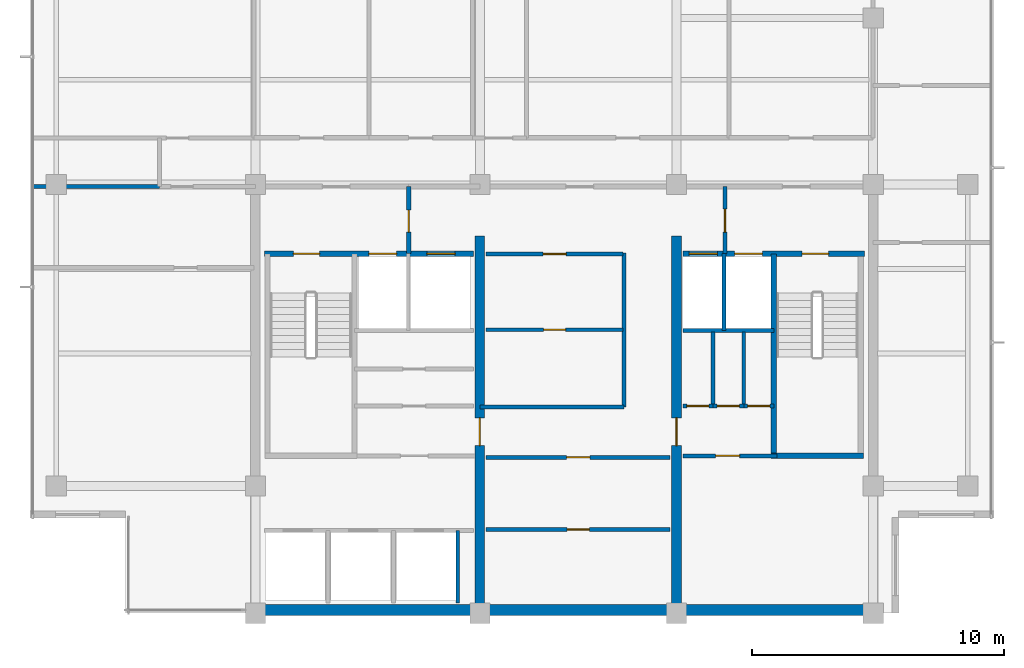
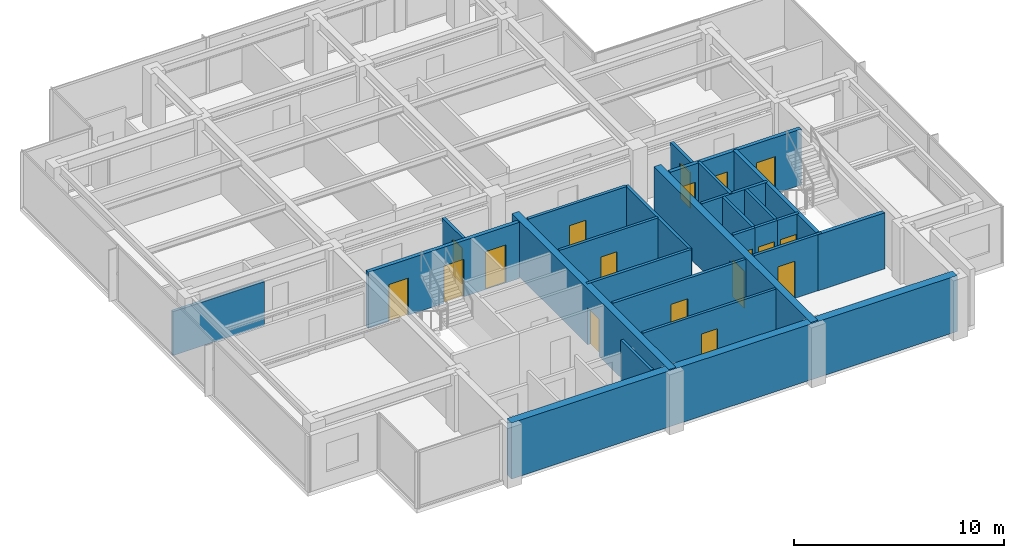
# One storey, part 6 of 11: 25 walls, 18 doors, 18 openings.
"""IFC4 building model written with IfcOpenShell, lengths in metres."""

from ifc_helpers import new_model, si_unit, direction, frame, frame_2d, origin, place, context, subcontext, project, spatial, rectangle, extrude, material, layer, layer_set, type_object, element, fill, save


model = new_model("IFC4")

# Units and contexts
model_context = context("Model", 3, precision=1e-05, world=origin(), true_north=direction((0.0, 1.0)))
body_context = subcontext(model_context, "Body", "Model", "MODEL_VIEW")
ifc_project = project(units=[si_unit("LENGTHUNIT", "METRE"), si_unit("AREAUNIT", "SQUARE_METRE"), si_unit("VOLUMEUNIT", "CUBIC_METRE"), si_unit("PLANEANGLEUNIT", "RADIAN"), si_unit("MASSUNIT", "GRAM", prefix="KILO")], contexts=[model_context])

# Site, building, storey
site_placement = place(None, origin())
site = spatial("IfcSite", under=ifc_project, at=site_placement, CompositionType="ELEMENT")
building_placement = place(site_placement, origin())
building = spatial("IfcBuilding", under=site, at=building_placement, Name="Qalmaran Belvedere Hotel", CompositionType="ELEMENT")
storey_placement = place(building_placement, frame((0.0, 0.0, 277.39990234375)))
storey = spatial("IfcBuildingStorey", under=building, at=storey_placement, Name="L72", CompositionType="ELEMENT", Elevation=277.39990234375)

# Wall, opening, door
ifc_material_1 = material(Name="Concrete C50/60", Category="concrete")
ifc_layer_1 = layer(ifc_material_1, 0.3798828125, Name="Concrete C50/60")
ifc_layer_set_1 = layer_set([ifc_layer_1], Name="Concrete C50/60")
wall_type_1 = type_object("IfcWallType", Name="WL-CORE-380-C50", PredefinedType="SHEAR", material=ifc_layer_set_1)
wall_1_placement = place(storey_placement, frame((29.199951171875, 3.5, 0.0), z_axis=(0.0, 0.0, 1.0), x_axis=(0.0, 1.0, 0.0)))
wall_1 = element("IfcWall", 1, at=wall_1_placement, inside=storey, type_object=wall_type_1, Name="L72 Core West Spine Shear Wall", PredefinedType="SHEAR", context=body_context, shape_type="SweptSolid", body=[
    extrude(rectangle(XDim=14.949951171875, YDim=0.3798828125, at=frame_2d((7.47509765625, 0.0))), origin(), (0.0, 0.0, 1.0), 3.260009765625),
])
opening_1_placement = place(wall_1_placement, frame((7.75, 0.0, 0.0), z_axis=(0.0, 0.0, 1.0), x_axis=(-1.0, 0.0, 0.0)))
opening_1 = element("IfcOpeningElement", 2, at=opening_1_placement, cuts=wall_1, Name="Opening FD90", PredefinedType="OPENING", context=body_context, shape_type="SweptSolid", body=[
    extrude(rectangle(XDim=1.10009765625, YDim=2.14990234375, at=frame_2d((0.550048828125, 1.074951171875))), frame((0.0, 0.199951171875, 0.0), z_axis=(0.0, -1.0, 0.0), x_axis=(1.0, 0.0, 0.0)), (0.0, 0.0, 1.0), 0.39990234375),
])
ifc_material_2 = material(Name="Steel S355JR", Category="steel")
door_type_1 = type_object("IfcDoorType", Name="DR-FD90-1100X2150", OperationType="NOTDEFINED", PredefinedType="DOOR", material=ifc_material_2)
door_1_placement = place(opening_1_placement, origin())
door_1 = element("IfcDoor", 3, at=door_1_placement, inside=storey, type_object=door_type_1, Name="L72 Core West Cross-Lobby Door", OperationType="SINGLE_SWING_LEFT", OverallHeight=2.14990234375, OverallWidth=1.10009765625, PredefinedType="DOOR", context=body_context, shape_type="SweptSolid", body=[
    extrude(rectangle(XDim=1.10009765625, YDim=2.14990234375, at=frame_2d((0.550048828125, 1.074951171875))), frame((0.0, 0.02490234375, 0.0), z_axis=(0.0, -1.0, 0.0), x_axis=(1.0, 0.0, 0.0)), (0.0, 0.0, 1.0), 0.050048828125),
])
fill(opening_1, door_1)

wall_2_placement = place(storey_placement, frame((37.0, 3.5, 0.0), z_axis=(0.0, 0.0, 1.0), x_axis=(0.0, 1.0, 0.0)))
wall_2 = element("IfcWall", 4, at=wall_2_placement, inside=storey, type_object=wall_type_1, Name="L72 Core East Spine Shear Wall", PredefinedType="SHEAR", context=body_context, shape_type="SweptSolid", body=[
    extrude(rectangle(XDim=14.949951171875, YDim=0.3798828125, at=frame_2d((7.47509765625, 0.0))), origin(), (0.0, 0.0, 1.0), 3.260009765625),
])
opening_2_placement = place(wall_2_placement, frame((6.64990234375, 0.0, 0.0)))
opening_2 = element("IfcOpeningElement", 5, at=opening_2_placement, cuts=wall_2, Name="Opening FD90", PredefinedType="OPENING", context=body_context, shape_type="SweptSolid", body=[
    extrude(rectangle(XDim=1.10009765625, YDim=2.14990234375, at=frame_2d((0.550048828125, 1.074951171875))), frame((0.0, 0.199951171875, 0.0), z_axis=(0.0, -1.0, 0.0), x_axis=(1.0, 0.0, 0.0)), (0.0, 0.0, 1.0), 0.39990234375),
])
door_2_placement = place(opening_2_placement, origin())
door_2 = element("IfcDoor", 6, at=door_2_placement, inside=storey, type_object=door_type_1, Name="L72 Core East Cross-Lobby Door", OperationType="SINGLE_SWING_RIGHT", OverallHeight=2.14990234375, OverallWidth=1.10009765625, PredefinedType="DOOR", context=body_context, shape_type="SweptSolid", body=[
    extrude(rectangle(XDim=1.10009765625, YDim=2.14990234375, at=frame_2d((0.550048828125, 1.074951171875))), frame((0.0, 0.02490234375, 0.0), z_axis=(0.0, -1.0, 0.0), x_axis=(1.0, 0.0, 0.0)), (0.0, 0.0, 1.0), 0.050048828125),
])
fill(opening_2, door_2)

# Walls
ifc_layer_2 = layer(ifc_material_1, 0.43994140625, Name="Concrete C50/60")
ifc_layer_set_2 = layer_set([ifc_layer_2], Name="Concrete C50/60")
wall_type_2 = type_object("IfcWallType", Name="WL-CORES-440-EXT", PredefinedType="SHEAR", material=ifc_layer_set_2)
wall_3_placement = place(storey_placement, frame((20.300048828125, 3.6298828125, 0.0), z_axis=(0.0, 0.0, 1.0), x_axis=(1.0, 0.0, 0.0)))
element("IfcWall", 7, at=wall_3_placement, inside=storey, type_object=wall_type_2, Name="L72 South Core Shear Wall", PredefinedType="SHEAR", context=body_context, shape_type="SweptSolid", body=[
    extrude(rectangle(XDim=24.5, YDim=0.43994140625, at=frame_2d((12.25, 0.0))), origin(), (0.0, 0.0, 1.0), 3.260009765625),
])
ifc_material_3 = material(Name="Gypsum Stud Partition")
ifc_layer_3 = layer(ifc_material_3, 0.14990234375, Name="Gypsum Stud Partition")
ifc_layer_set_3 = layer_set([ifc_layer_3], Name="Gypsum Stud Partition")
wall_type_3 = type_object("IfcWallType", Name="WL-INT-150-EI120", PredefinedType="PARTITIONING", material=ifc_layer_set_3)
wall_4_placement = place(storey_placement, frame((38.8798828125, 14.719970703125, 0.0), z_axis=(0.0, 0.0, 1.0), x_axis=(0.0, 1.0, 0.0)))
element("IfcWall", 8, at=wall_4_placement, inside=storey, type_object=wall_type_3, Name="L72 Partition WL-FF2M-L72", PredefinedType="PARTITIONING", context=body_context, shape_type="SweptSolid", body=[
    extrude(rectangle(XDim=3.0400390625, YDim=0.14990234375, at=frame_2d((1.52001953125, 0.0))), origin(), (0.0, 0.0, 1.0), 3.260009765625),
])
wall_5_placement = place(storey_placement, frame((28.320068359375, 3.89990234375, 0.0), z_axis=(0.0, 0.0, 1.0), x_axis=(0.0, 1.0, 0.0)))
element("IfcWall", 9, at=wall_5_placement, inside=storey, type_object=wall_type_3, Name="L72 Partition WL-POM3-L72", PredefinedType="PARTITIONING", context=body_context, shape_type="SweptSolid", body=[
    extrude(rectangle(XDim=2.880126953125, YDim=0.14990234375, at=frame_2d((1.43994140625, 0.0))), origin(), (0.0, 0.0, 1.0), 3.260009765625),
])
ifc_layer_4 = layer(ifc_material_3, 0.14990234375, Name="Gypsum Stud Partition")
ifc_layer_set_4 = layer_set([ifc_layer_4], Name="Gypsum Stud Partition")
wall_type_4 = type_object("IfcWallType", Name="WL-INT-150-EI60", PredefinedType="PARTITIONING", material=ifc_layer_set_4)
for number, where, z_axis, x_axis, name in (
    (10, (38.44140625, 11.719970703125, 0.0), (0.0, 0.0, 1.0), (0.0, 1.0, 0.0), "L72 Partition WL-L72-KEV1"),
    (11, (39.668701171875, 11.719970703125, 0.0), (0.0, 0.0, 1.0), (0.0, 1.0, 0.0), "L72 Partition WL-L72-KEV2"),
):
    element("IfcWall", number, at=place(storey_placement, frame(where, z_axis=z_axis, x_axis=x_axis)), inside=storey, type_object=wall_type_4, Name=name, PredefinedType="PARTITIONING", context=body_context, shape_type="SweptSolid", body=[
        extrude(rectangle(XDim=2.929931640625, YDim=0.14990234375, at=frame_2d((1.46484375, 0.0))), origin(), (0.0, 0.0, 1.0), 3.260009765625),
    ])

# Wall, opening, door
wall_6_placement = place(storey_placement, frame((29.449951171875, 6.81494140625, 0.0), z_axis=(0.0, 0.0, 1.0), x_axis=(1.0, 0.0, 0.0)))
wall_6 = element("IfcWall", 12, at=wall_6_placement, inside=storey, type_object=wall_type_4, Name="L72 Partition WL-L72-KPLHM", PredefinedType="PARTITIONING", context=body_context, shape_type="SweptSolid", body=[
    extrude(rectangle(XDim=7.300048828125, YDim=0.14990234375, at=frame_2d((3.64990234375, 0.0))), origin(), (0.0, 0.0, 1.0), 3.260009765625),
])
opening_3_placement = place(wall_6_placement, frame((4.08984375, 0.0, 0.0), z_axis=(0.0, 0.0, 1.0), x_axis=(-1.0, 0.0, 0.0)))
opening_3 = element("IfcOpeningElement", 13, at=opening_3_placement, cuts=wall_6, Name="Opening FD60B", PredefinedType="OPENING", context=body_context, shape_type="SweptSolid", body=[
    extrude(rectangle(XDim=0.8798828125, YDim=2.080078125, at=frame_2d((0.43994140625, 1.0400390625))), frame((0.0, 0.0849609375, 0.0), z_axis=(0.0, -1.0, 0.0), x_axis=(1.0, 0.0, 0.0)), (0.0, 0.0, 1.0), 0.169921875),
])
door_type_2 = type_object("IfcDoorType", Name="DR-FD60B-880X2080", OperationType="NOTDEFINED", PredefinedType="DOOR", material=ifc_material_2)
door_3_placement = place(opening_3_placement, origin())
door_3 = element("IfcDoor", 14, at=door_3_placement, inside=storey, type_object=door_type_2, Name="L72 Housekeeping and Linen Room Door", OperationType="SINGLE_SWING_RIGHT", OverallHeight=2.080078125, OverallWidth=0.8798828125, PredefinedType="DOOR", context=body_context, shape_type="SweptSolid", body=[
    extrude(rectangle(XDim=0.8798828125, YDim=2.080078125, at=frame_2d((0.43994140625, 1.0400390625))), frame((0.0, 0.02490234375, 0.0), z_axis=(0.0, -1.0, 0.0), x_axis=(1.0, 0.0, 0.0)), (0.0, 0.0, 1.0), 0.050048828125),
])
fill(opening_3, door_3)

wall_7_placement = place(storey_placement, frame((29.449951171875, 14.7451171875, 0.0), z_axis=(0.0, 0.0, 1.0), x_axis=(1.0, 0.0, 0.0)))
wall_7 = element("IfcWall", 15, at=wall_7_placement, inside=storey, type_object=wall_type_4, Name="L72 Partition WL-L72-KPMHM", PredefinedType="PARTITIONING", context=body_context, shape_type="SweptSolid", body=[
    extrude(rectangle(XDim=5.429931640625, YDim=0.14990234375, at=frame_2d((2.71484375, 0.0))), origin(), (0.0, 0.0, 1.0), 3.260009765625),
])
opening_4_placement = place(wall_7_placement, frame((3.15478515625, 0.0, 0.0), z_axis=(0.0, 0.0, 1.0), x_axis=(-1.0, 0.0, 0.0)))
opening_4 = element("IfcOpeningElement", 16, at=opening_4_placement, cuts=wall_7, Name="Opening FD60B", PredefinedType="OPENING", context=body_context, shape_type="SweptSolid", body=[
    extrude(rectangle(XDim=0.8798828125, YDim=2.080078125, at=frame_2d((0.43994140625, 1.0400390625))), frame((0.0, 0.0849609375, 0.0), z_axis=(0.0, -1.0, 0.0), x_axis=(1.0, 0.0, 0.0)), (0.0, 0.0, 1.0), 0.169921875),
])
door_4_placement = place(opening_4_placement, origin())
door_4 = element("IfcDoor", 17, at=door_4_placement, inside=storey, type_object=door_type_2, Name="L72 Executive Butler Pantry Door", OperationType="SINGLE_SWING_RIGHT", OverallHeight=2.080078125, OverallWidth=0.8798828125, PredefinedType="DOOR", context=body_context, shape_type="SweptSolid", body=[
    extrude(rectangle(XDim=0.8798828125, YDim=2.080078125, at=frame_2d((0.43994140625, 1.0400390625))), frame((0.0, 0.02490234375, 0.0), z_axis=(0.0, -1.0, 0.0), x_axis=(1.0, 0.0, 0.0)), (0.0, 0.0, 1.0), 0.050048828125),
])
fill(opening_4, door_4)

ifc_layer_5 = layer(ifc_material_3, 0.159912109375, Name="Gypsum Stud Partition")
ifc_layer_set_5 = layer_set([ifc_layer_5], Name="Gypsum Stud Partition")
wall_type_5 = type_object("IfcWallType", Name="WL-INT-160-EI120", PredefinedType="PARTITIONING", material=ifc_layer_set_5)
wall_8_placement = place(storey_placement, frame((26.3798828125, 17.760009765625, 0.0), z_axis=(0.0, 0.0, 1.0), x_axis=(0.0, 1.0, 0.0)))
wall_8 = element("IfcWall", 18, at=wall_8_placement, inside=storey, type_object=wall_type_5, Name="L72 Partition WL-FFSV1-L72", PredefinedType="PARTITIONING", context=body_context, shape_type="SweptSolid", body=[
    extrude(rectangle(XDim=2.659912109375, YDim=0.159912109375, at=frame_2d((1.330078125, 0.0))), origin(), (0.0, 0.0, 1.0), 2.781982421875),
])
opening_5_placement = place(wall_8_placement, frame((0.85009765625, 0.0, 0.0)))
opening_5 = element("IfcOpeningElement", 19, at=opening_5_placement, cuts=wall_8, Name="Opening FD60B", PredefinedType="OPENING", context=body_context, shape_type="SweptSolid", body=[
    extrude(rectangle(XDim=0.8798828125, YDim=2.080078125, at=frame_2d((0.43994140625, 1.0400390625))), frame((0.0, 0.08984375, 0.0), z_axis=(0.0, -1.0, 0.0), x_axis=(1.0, 0.0, 0.0)), (0.0, 0.0, 1.0), 0.179931640625),
])
door_5_placement = place(opening_5_placement, origin())
door_5 = element("IfcDoor", 20, at=door_5_placement, inside=storey, type_object=door_type_2, Name="L72 Service Lobby West Door", OperationType="SINGLE_SWING_LEFT", OverallHeight=2.080078125, OverallWidth=0.8798828125, PredefinedType="DOOR", context=body_context, shape_type="SweptSolid", body=[
    extrude(rectangle(XDim=0.8798828125, YDim=2.080078125, at=frame_2d((0.43994140625, 1.0400390625))), frame((0.0, 0.02490234375, 0.0), z_axis=(0.0, -1.0, 0.0), x_axis=(1.0, 0.0, 0.0)), (0.0, 0.0, 1.0), 0.050048828125),
])
fill(opening_5, door_5)

wall_9_placement = place(storey_placement, frame((38.919921875, 17.760009765625, 0.0), z_axis=(0.0, 0.0, 1.0), x_axis=(0.0, 1.0, 0.0)))
wall_9 = element("IfcWall", 21, at=wall_9_placement, inside=storey, type_object=wall_type_5, Name="L72 Partition WL-FFSV2-L72", PredefinedType="PARTITIONING", context=body_context, shape_type="SweptSolid", body=[
    extrude(rectangle(XDim=2.659912109375, YDim=0.159912109375, at=frame_2d((1.330078125, 0.0))), origin(), (0.0, 0.0, 1.0), 2.781982421875),
])
opening_6_placement = place(wall_9_placement, frame((1.77001953125, 0.0, 0.0), z_axis=(0.0, 0.0, 1.0), x_axis=(-1.0, 0.0, 0.0)))
opening_6 = element("IfcOpeningElement", 22, at=opening_6_placement, cuts=wall_9, Name="Opening FD60S1", PredefinedType="OPENING", context=body_context, shape_type="SweptSolid", body=[
    extrude(rectangle(XDim=0.919921875, YDim=2.080078125, at=frame_2d((0.4599609375, 1.0400390625))), frame((0.0, 0.08984375, 0.0), z_axis=(0.0, -1.0, 0.0), x_axis=(1.0, 0.0, 0.0)), (0.0, 0.0, 1.0), 0.179931640625),
])
ifc_material_4 = material(Name="Engineered Oak Veneer")
door_type_3 = type_object("IfcDoorType", Name="DR-FD60S-920X2080", OperationType="NOTDEFINED", PredefinedType="DOOR", material=ifc_material_4)
door_6_placement = place(opening_6_placement, origin())
door_6 = element("IfcDoor", 23, at=door_6_placement, inside=storey, type_object=door_type_3, Name="L72 Service Lobby East Door", OperationType="SINGLE_SWING_RIGHT", OverallHeight=2.080078125, OverallWidth=0.919921875, PredefinedType="DOOR", context=body_context, shape_type="SweptSolid", body=[
    extrude(rectangle(XDim=0.919921875, YDim=2.080078125, at=frame_2d((0.4599609375, 1.0400390625))), frame((0.0, 0.02490234375, 0.0), z_axis=(0.0, -1.0, 0.0), x_axis=(1.0, 0.0, 0.0)), (0.0, 0.0, 1.0), 0.050048828125),
])
fill(opening_6, door_6)

# Wall
wall_10_placement = place(storey_placement, frame((37.25, 14.719970703125, 0.0), z_axis=(0.0, 0.0, 1.0), x_axis=(1.0, 0.0, 0.0)))
element("IfcWall", 24, at=wall_10_placement, inside=storey, type_object=wall_type_5, Name="L72 Partition WL-FF2S-L72", PredefinedType="PARTITIONING", context=body_context, shape_type="SweptSolid", body=[
    extrude(rectangle(XDim=3.610107421875, YDim=0.159912109375, at=frame_2d((1.80517578125, 0.0))), origin(), (0.0, 0.0, 1.0), 3.260009765625),
])

# Wall, opening, door
ifc_layer_6 = layer(ifc_material_3, 0.159912109375, Name="Gypsum Stud Partition")
ifc_layer_set_6 = layer_set([ifc_layer_6], Name="Gypsum Stud Partition")
wall_type_6 = type_object("IfcWallType", Name="WL-INT-160-EI60", PredefinedType="PARTITIONING", material=ifc_layer_set_6)
wall_11_placement = place(storey_placement, frame((37.25, 11.719970703125, 0.0), z_axis=(0.0, 0.0, 1.0), x_axis=(1.0, 0.0, 0.0)))
wall_11 = element("IfcWall", 25, at=wall_11_placement, inside=storey, type_object=wall_type_6, Name="L72 Partition WL-L72-KEE1", PredefinedType="PARTITIONING", context=body_context, shape_type="SweptSolid", body=[
    extrude(rectangle(XDim=1.19140625, YDim=0.159912109375, at=frame_2d((0.595703125, 0.0))), origin(), (0.0, 0.0, 1.0), 3.260009765625),
])
opening_7_placement = place(wall_11_placement, frame((0.155517578125, 0.0, 0.0)))
opening_7 = element("IfcOpeningElement", 26, at=opening_7_placement, cuts=wall_11, Name="Opening FD60B", PredefinedType="OPENING", context=body_context, shape_type="SweptSolid", body=[
    extrude(rectangle(XDim=0.8798828125, YDim=2.080078125, at=frame_2d((0.43994140625, 1.0400390625))), frame((0.0, 0.08984375, 0.0), z_axis=(0.0, -1.0, 0.0), x_axis=(1.0, 0.0, 0.0)), (0.0, 0.0, 1.0), 0.179931640625),
])
door_7_placement = place(opening_7_placement, origin())
door_7 = element("IfcDoor", 27, at=door_7_placement, inside=storey, type_object=door_type_2, Name="L72 Hotel Linen Closet Door", OperationType="SINGLE_SWING_RIGHT", OverallHeight=2.080078125, OverallWidth=0.8798828125, PredefinedType="DOOR", context=body_context, shape_type="SweptSolid", body=[
    extrude(rectangle(XDim=0.8798828125, YDim=2.080078125, at=frame_2d((0.43994140625, 1.0400390625))), frame((0.0, 0.02490234375, 0.0), z_axis=(0.0, -1.0, 0.0), x_axis=(1.0, 0.0, 0.0)), (0.0, 0.0, 1.0), 0.050048828125),
])
fill(opening_7, door_7)

wall_12_placement = place(storey_placement, frame((38.44140625, 11.719970703125, 0.0), z_axis=(0.0, 0.0, 1.0), x_axis=(1.0, 0.0, 0.0)))
wall_12 = element("IfcWall", 28, at=wall_12_placement, inside=storey, type_object=wall_type_6, Name="L72 Partition WL-L72-KEE2", PredefinedType="PARTITIONING", context=body_context, shape_type="SweptSolid", body=[
    extrude(rectangle(XDim=1.227294921875, YDim=0.159912109375, at=frame_2d((0.61376953125, 0.0))), origin(), (0.0, 0.0, 1.0), 3.260009765625),
])
opening_8_placement = place(wall_12_placement, frame((0.173583984375, 0.0, 0.0)))
opening_8 = element("IfcOpeningElement", 29, at=opening_8_placement, cuts=wall_12, Name="Opening FD60B", PredefinedType="OPENING", context=body_context, shape_type="SweptSolid", body=[
    extrude(rectangle(XDim=0.8798828125, YDim=2.080078125, at=frame_2d((0.43994140625, 1.0400390625))), frame((0.0, 0.08984375, 0.0), z_axis=(0.0, -1.0, 0.0), x_axis=(1.0, 0.0, 0.0)), (0.0, 0.0, 1.0), 0.179931640625),
])
door_8_placement = place(opening_8_placement, origin())
door_8 = element("IfcDoor", 30, at=door_8_placement, inside=storey, type_object=door_type_2, Name="L72 Guest Ice and Beverage Pantry Door", OperationType="SINGLE_SWING_LEFT", OverallHeight=2.080078125, OverallWidth=0.8798828125, PredefinedType="DOOR", context=body_context, shape_type="SweptSolid", body=[
    extrude(rectangle(XDim=0.8798828125, YDim=2.080078125, at=frame_2d((0.43994140625, 1.0400390625))), frame((0.0, 0.02490234375, 0.0), z_axis=(0.0, -1.0, 0.0), x_axis=(1.0, 0.0, 0.0)), (0.0, 0.0, 1.0), 0.050048828125),
])
fill(opening_8, door_8)

wall_13_placement = place(storey_placement, frame((39.668701171875, 11.719970703125, 0.0), z_axis=(0.0, 0.0, 1.0), x_axis=(1.0, 0.0, 0.0)))
wall_13 = element("IfcWall", 31, at=wall_13_placement, inside=storey, type_object=wall_type_6, Name="L72 Partition WL-L72-KEE3", PredefinedType="PARTITIONING", context=body_context, shape_type="SweptSolid", body=[
    extrude(rectangle(XDim=1.19140625, YDim=0.159912109375, at=frame_2d((0.595703125, 0.0))), origin(), (0.0, 0.0, 1.0), 3.260009765625),
])
opening_9_placement = place(wall_13_placement, frame((0.155517578125, 0.0, 0.0)))
opening_9 = element("IfcOpeningElement", 32, at=opening_9_placement, cuts=wall_13, Name="Opening FD60B", PredefinedType="OPENING", context=body_context, shape_type="SweptSolid", body=[
    extrude(rectangle(XDim=0.8798828125, YDim=2.080078125, at=frame_2d((0.43994140625, 1.0400390625))), frame((0.0, 0.08984375, 0.0), z_axis=(0.0, -1.0, 0.0), x_axis=(1.0, 0.0, 0.0)), (0.0, 0.0, 1.0), 0.179931640625),
])
door_9_placement = place(opening_9_placement, origin())
door_9 = element("IfcDoor", 33, at=door_9_placement, inside=storey, type_object=door_type_2, Name="L72 Cleaner Equipment Store Door", OperationType="SINGLE_SWING_RIGHT", OverallHeight=2.080078125, OverallWidth=0.8798828125, PredefinedType="DOOR", context=body_context, shape_type="SweptSolid", body=[
    extrude(rectangle(XDim=0.8798828125, YDim=2.080078125, at=frame_2d((0.43994140625, 1.0400390625))), frame((0.0, 0.02490234375, 0.0), z_axis=(0.0, -1.0, 0.0), x_axis=(1.0, 0.0, 0.0)), (0.0, 0.0, 1.0), 0.050048828125),
])
fill(opening_9, door_9)

wall_14_placement = place(storey_placement, frame((37.25, 9.739990234375, 0.0), z_axis=(0.0, 0.0, 1.0), x_axis=(1.0, 0.0, 0.0)))
wall_14 = element("IfcWall", 34, at=wall_14_placement, inside=storey, type_object=wall_type_6, Name="L72 Partition WL-PHFR-L72", PredefinedType="PARTITIONING", context=body_context, shape_type="SweptSolid", body=[
    extrude(rectangle(XDim=3.72998046875, YDim=0.159912109375, at=frame_2d((1.864990234375, 0.0))), origin(), (0.0, 0.0, 1.0), 3.260009765625),
])
opening_10_placement = place(wall_14_placement, frame((2.25, 0.0, 0.0), z_axis=(0.0, 0.0, 1.0), x_axis=(-1.0, 0.0, 0.0)))
opening_10 = element("IfcOpeningElement", 35, at=opening_10_placement, cuts=wall_14, Name="Opening FD60", PredefinedType="OPENING", context=body_context, shape_type="SweptSolid", body=[
    extrude(rectangle(XDim=0.949951171875, YDim=2.14990234375, at=frame_2d((0.47509765625, 1.074951171875))), frame((0.0, 0.08984375, 0.0), z_axis=(0.0, -1.0, 0.0), x_axis=(1.0, 0.0, 0.0)), (0.0, 0.0, 1.0), 0.179931640625),
])
door_type_4 = type_object("IfcDoorType", Name="DR-FD60-950X2150", OperationType="NOTDEFINED", PredefinedType="DOOR", material=ifc_material_4)
door_10_placement = place(opening_10_placement, origin())
door_10 = element("IfcDoor", 36, at=door_10_placement, inside=storey, type_object=door_type_4, Name="L72 Freed PH Room Door", OperationType="SINGLE_SWING_RIGHT", OverallHeight=2.14990234375, OverallWidth=0.949951171875, PredefinedType="DOOR", context=body_context, shape_type="SweptSolid", body=[
    extrude(rectangle(XDim=0.949951171875, YDim=2.14990234375, at=frame_2d((0.47509765625, 1.074951171875))), frame((0.0, 0.02490234375, 0.0), z_axis=(0.0, -1.0, 0.0), x_axis=(1.0, 0.0, 0.0)), (0.0, 0.0, 1.0), 0.050048828125),
])
fill(opening_10, door_10)

# Wall
wall_15_placement = place(storey_placement, frame((34.919921875, 11.679931640625, 0.0), z_axis=(0.0, 0.0, 1.0), x_axis=(0.0, 1.0, 0.0)))
element("IfcWall", 37, at=wall_15_placement, inside=storey, type_object=wall_type_6, Name="L72 Partition WL-CLLV-L72", PredefinedType="PARTITIONING", context=body_context, shape_type="SweptSolid", body=[
    extrude(rectangle(XDim=6.10009765625, YDim=0.159912109375, at=frame_2d((3.050048828125, 0.0))), origin(), (0.0, 0.0, 1.0), 3.260009765625),
])

# Wall, opening, door
wall_16_placement = place(storey_placement, frame((29.449951171875, 9.679931640625, 0.0), z_axis=(0.0, 0.0, 1.0), x_axis=(1.0, 0.0, 0.0)))
wall_16 = element("IfcWall", 38, at=wall_16_placement, inside=storey, type_object=wall_type_6, Name="L72 Partition WL-L72-KPLE1", PredefinedType="PARTITIONING", context=body_context, shape_type="SweptSolid", body=[
    extrude(rectangle(XDim=7.300048828125, YDim=0.159912109375, at=frame_2d((3.64990234375, 0.0))), origin(), (0.0, 0.0, 1.0), 3.260009765625),
])
opening_11_placement = place(wall_16_placement, frame((4.10986328125, 0.0, 0.0), z_axis=(0.0, 0.0, 1.0), x_axis=(-1.0, 0.0, 0.0)))
opening_11 = element("IfcOpeningElement", 39, at=opening_11_placement, cuts=wall_16, Name="Opening FD60S1", PredefinedType="OPENING", context=body_context, shape_type="SweptSolid", body=[
    extrude(rectangle(XDim=0.919921875, YDim=2.080078125, at=frame_2d((0.4599609375, 1.0400390625))), frame((0.0, 0.08984375, 0.0), z_axis=(0.0, -1.0, 0.0), x_axis=(1.0, 0.0, 0.0)), (0.0, 0.0, 1.0), 0.179931640625),
])
door_11_placement = place(opening_11_placement, origin())
door_11 = element("IfcDoor", 40, at=door_11_placement, inside=storey, type_object=door_type_3, Name="L72 Guest Valet Supply Store Door", OperationType="SINGLE_SWING_LEFT", OverallHeight=2.080078125, OverallWidth=0.919921875, PredefinedType="DOOR", context=body_context, shape_type="SweptSolid", body=[
    extrude(rectangle(XDim=0.919921875, YDim=2.080078125, at=frame_2d((0.4599609375, 1.0400390625))), frame((0.0, 0.02490234375, 0.0), z_axis=(0.0, -1.0, 0.0), x_axis=(1.0, 0.0, 0.0)), (0.0, 0.0, 1.0), 0.050048828125),
])
fill(opening_11, door_11)

# Wall
wall_17_placement = place(storey_placement, frame((29.199951171875, 11.679931640625, 0.0), z_axis=(0.0, 0.0, 1.0), x_axis=(1.0, 0.0, 0.0)))
element("IfcWall", 41, at=wall_17_placement, inside=storey, type_object=wall_type_6, Name="L72 Partition WL-PMFS-L72", PredefinedType="PARTITIONING", context=body_context, shape_type="SweptSolid", body=[
    extrude(rectangle(XDim=5.719970703125, YDim=0.159912109375, at=frame_2d((2.85986328125, 0.0))), origin(), (0.0, 0.0, 1.0), 3.260009765625),
])

# Wall, opening, door
wall_18_placement = place(storey_placement, frame((29.449951171875, 17.75, 0.0), z_axis=(0.0, 0.0, 1.0), x_axis=(1.0, 0.0, 0.0)))
wall_18 = element("IfcWall", 42, at=wall_18_placement, inside=storey, type_object=wall_type_6, Name="L72 Partition WL-L72-KPME1", PredefinedType="PARTITIONING", context=body_context, shape_type="SweptSolid", body=[
    extrude(rectangle(XDim=5.429931640625, YDim=0.159912109375, at=frame_2d((2.71484375, 0.0))), origin(), (0.0, 0.0, 1.0), 3.260009765625),
])
opening_12_placement = place(wall_18_placement, frame((3.1748046875, 0.0, 0.0), z_axis=(0.0, 0.0, 1.0), x_axis=(-1.0, 0.0, 0.0)))
opening_12 = element("IfcOpeningElement", 43, at=opening_12_placement, cuts=wall_18, Name="Opening FD60S1", PredefinedType="OPENING", context=body_context, shape_type="SweptSolid", body=[
    extrude(rectangle(XDim=0.919921875, YDim=2.080078125, at=frame_2d((0.4599609375, 1.0400390625))), frame((0.0, 0.08984375, 0.0), z_axis=(0.0, -1.0, 0.0), x_axis=(1.0, 0.0, 0.0)), (0.0, 0.0, 1.0), 0.179931640625),
])
door_12_placement = place(opening_12_placement, origin())
door_12 = element("IfcDoor", 44, at=door_12_placement, inside=storey, type_object=door_type_3, Name="L72 Core Tableware Store Door", OperationType="SINGLE_SWING_LEFT", OverallHeight=2.080078125, OverallWidth=0.919921875, PredefinedType="DOOR", context=body_context, shape_type="SweptSolid", body=[
    extrude(rectangle(XDim=0.919921875, YDim=2.080078125, at=frame_2d((0.4599609375, 1.0400390625))), frame((0.0, 0.02490234375, 0.0), z_axis=(0.0, -1.0, 0.0), x_axis=(1.0, 0.0, 0.0)), (0.0, 0.0, 1.0), 0.050048828125),
])
fill(opening_12, door_12)

# Wall
wall_19_placement = place(storey_placement, frame((11.469970703125, 20.419921875, 0.0), z_axis=(0.0, 0.0, 1.0), x_axis=(1.0, 0.0, 0.0)))
element("IfcWall", 45, at=wall_19_placement, inside=storey, type_object=wall_type_6, Name="L72 Partition WL-L72-C4WS1", PredefinedType="PARTITIONING", context=body_context, shape_type="SweptSolid", body=[
    extrude(rectangle(XDim=5.030029296875, YDim=0.159912109375, at=frame_2d((2.51513671875, 0.0))), origin(), (0.0, 0.0, 1.0), 2.550048828125),
])

# Wall, openings, doors
ifc_layer_7 = layer(ifc_material_1, 0.2099609375, Name="Concrete C50/60")
ifc_layer_set_7 = layer_set([ifc_layer_7], Name="Concrete C50/60")
wall_type_7 = type_object("IfcWallType", Name="WL-STAIR-210-C50", PredefinedType="SHEAR", material=ifc_layer_set_7)
wall_20_placement = place(storey_placement, frame((20.64990234375, 17.7548828125, 0.0), z_axis=(0.0, 0.0, 1.0), x_axis=(1.0, 0.0, 0.0)))
wall_20 = element("IfcWall", 46, at=wall_20_placement, inside=storey, type_object=wall_type_7, Name="L72 West Lobby and Stair ST-1 North Bearing Wall", PredefinedType="SHEAR", context=body_context, shape_type="SweptSolid", body=[
    extrude(rectangle(XDim=8.300048828125, YDim=0.2099609375, at=frame_2d((4.14990234375, 0.0))), origin(), (0.0, 0.0, 1.0), 3.260009765625),
])
opening_13_placement = place(wall_20_placement, frame((2.199951171875, 0.0, 0.0), z_axis=(0.0, 0.0, 1.0), x_axis=(-1.0, 0.0, 0.0)))
opening_13 = element("IfcOpeningElement", 47, at=opening_13_placement, cuts=wall_20, Name="Opening FD90S2", PredefinedType="OPENING", context=body_context, shape_type="SweptSolid", body=[
    extrude(rectangle(XDim=1.050048828125, YDim=2.14990234375, at=frame_2d((0.52490234375, 1.074951171875))), frame((0.0, 0.114990234375, 0.0), z_axis=(0.0, -1.0, 0.0), x_axis=(1.0, 0.0, 0.0)), (0.0, 0.0, 1.0), 0.22998046875),
])
opening_14_placement = place(wall_20_placement, frame((4.14990234375, 0.0, 0.0)))
opening_14 = element("IfcOpeningElement", 48, at=opening_14_placement, cuts=wall_20, Name="Opening LD-FF", PredefinedType="OPENING", context=body_context, shape_type="SweptSolid", body=[
    extrude(rectangle(XDim=1.10009765625, YDim=2.179931640625, at=frame_2d((0.550048828125, 1.08984375))), frame((0.0, 0.114990234375, 0.0), z_axis=(0.0, -1.0, 0.0), x_axis=(1.0, 0.0, 0.0)), (0.0, 0.0, 1.0), 0.22998046875),
])
opening_15_placement = place(wall_20_placement, frame((6.449951171875, 0.0, 0.0)))
opening_15 = element("IfcOpeningElement", 49, at=opening_15_placement, cuts=wall_20, Name="Opening LD-SV", PredefinedType="OPENING", context=body_context, shape_type="SweptSolid", body=[
    extrude(rectangle(XDim=1.1201171875, YDim=2.199951171875, at=frame_2d((0.56005859375, 1.10009765625))), frame((0.0, 0.114990234375, 0.0), z_axis=(0.0, -1.0, 0.0), x_axis=(1.0, 0.0, 0.0)), (0.0, 0.0, 1.0), 0.22998046875),
])
door_type_5 = type_object("IfcDoorType", Name="DR-FD90S-1050X2150", OperationType="NOTDEFINED", PredefinedType="DOOR", material=ifc_material_2)
door_13_placement = place(opening_13_placement, origin())
door_13 = element("IfcDoor", 50, at=door_13_placement, inside=storey, type_object=door_type_5, Name="L72 Stair ST-1 Door", OperationType="SINGLE_SWING_LEFT", OverallHeight=2.14990234375, OverallWidth=1.050048828125, PredefinedType="DOOR", context=body_context, shape_type="SweptSolid", body=[
    extrude(rectangle(XDim=1.050048828125, YDim=2.14990234375, at=frame_2d((0.52490234375, 1.074951171875))), frame((0.0, 0.02490234375, 0.0), z_axis=(0.0, -1.0, 0.0), x_axis=(1.0, 0.0, 0.0)), (0.0, 0.0, 1.0), 0.050048828125),
])
fill(opening_13, door_13)
ifc_material_5 = material(Name="Stainless Steel 1.4401", Category="steel")
door_type_6 = type_object("IfcDoorType", Name="DR-LIFT-FF-1100X2180", OperationType="DOUBLE_DOOR_SLIDING", PredefinedType="DOOR", material=ifc_material_5)
door_14_placement = place(opening_14_placement, origin())
door_14 = element("IfcDoor", 51, at=door_14_placement, inside=storey, type_object=door_type_6, Name="L72 FF1 Lift Landing Door", OperationType="DOUBLE_DOOR_SLIDING", OverallHeight=2.179931640625, OverallWidth=1.10009765625, PredefinedType="DOOR", context=body_context, shape_type="SweptSolid", body=[
    extrude(rectangle(XDim=1.10009765625, YDim=2.179931640625, at=frame_2d((0.550048828125, 1.08984375))), frame((0.0, 0.02490234375, 0.0), z_axis=(0.0, -1.0, 0.0), x_axis=(1.0, 0.0, 0.0)), (0.0, 0.0, 1.0), 0.050048828125),
])
fill(opening_14, door_14)
door_type_7 = type_object("IfcDoorType", Name="DR-LIFT-SV-1120X2200", OperationType="DOUBLE_DOOR_SLIDING", PredefinedType="DOOR", material=ifc_material_5)
door_15_placement = place(opening_15_placement, origin())
door_15 = element("IfcDoor", 52, at=door_15_placement, inside=storey, type_object=door_type_7, Name="L72 SV1 Lift Landing Door", OperationType="DOUBLE_DOOR_SLIDING", OverallHeight=2.199951171875, OverallWidth=1.1201171875, PredefinedType="DOOR", context=body_context, shape_type="SweptSolid", body=[
    extrude(rectangle(XDim=1.1201171875, YDim=2.199951171875, at=frame_2d((0.56005859375, 1.10009765625))), frame((0.0, 0.02490234375, 0.0), z_axis=(0.0, -1.0, 0.0), x_axis=(1.0, 0.0, 0.0)), (0.0, 0.0, 1.0), 0.050048828125),
])
fill(opening_15, door_15)

# Walls
wall_21_placement = place(storey_placement, frame((40.85498046875, 9.7451171875, 0.0), z_axis=(0.0, 0.0, 1.0), x_axis=(0.0, 1.0, 0.0)))
element("IfcWall", 53, at=wall_21_placement, inside=storey, type_object=wall_type_7, Name="L72 Stair ST-2 West Bearing Wall", PredefinedType="SHEAR", context=body_context, shape_type="SweptSolid", body=[
    extrude(rectangle(XDim=8.009765625, YDim=0.2099609375, at=frame_2d((4.0048828125, 0.0))), origin(), (0.0, 0.0, 1.0), 3.260009765625),
])
wall_22_placement = place(storey_placement, frame((40.75, 9.7451171875, 0.0), z_axis=(0.0, 0.0, 1.0), x_axis=(1.0, 0.0, 0.0)))
element("IfcWall", 54, at=wall_22_placement, inside=storey, type_object=wall_type_7, Name="L72 Stair ST-2 South Bearing Wall", PredefinedType="SHEAR", context=body_context, shape_type="SweptSolid", body=[
    extrude(rectangle(XDim=3.659912109375, YDim=0.2099609375, at=frame_2d((1.830078125, 0.0))), origin(), (0.0, 0.0, 1.0), 3.260009765625),
])

# Wall, openings, doors
wall_23_placement = place(storey_placement, frame((37.25, 17.7548828125, 0.0), z_axis=(0.0, 0.0, 1.0), x_axis=(1.0, 0.0, 0.0)))
wall_23 = element("IfcWall", 55, at=wall_23_placement, inside=storey, type_object=wall_type_7, Name="L72 East Lobby and Stair ST-2 North Bearing Wall", PredefinedType="SHEAR", context=body_context, shape_type="SweptSolid", body=[
    extrude(rectangle(XDim=7.199951171875, YDim=0.2099609375, at=frame_2d((3.60009765625, 0.0))), origin(), (0.0, 0.0, 1.0), 3.260009765625),
])
opening_16_placement = place(wall_23_placement, frame((0.25, 0.0, 0.0)))
opening_16 = element("IfcOpeningElement", 56, at=opening_16_placement, cuts=wall_23, Name="Opening LD-SV", PredefinedType="OPENING", context=body_context, shape_type="SweptSolid", body=[
    extrude(rectangle(XDim=1.1201171875, YDim=2.199951171875, at=frame_2d((0.56005859375, 1.10009765625))), frame((0.0, 0.114990234375, 0.0), z_axis=(0.0, -1.0, 0.0), x_axis=(1.0, 0.0, 0.0)), (0.0, 0.0, 1.0), 0.22998046875),
])
opening_17_placement = place(wall_23_placement, frame((2.050048828125, 0.0, 0.0)))
opening_17 = element("IfcOpeningElement", 57, at=opening_17_placement, cuts=wall_23, Name="Opening LD-FF", PredefinedType="OPENING", context=body_context, shape_type="SweptSolid", body=[
    extrude(rectangle(XDim=1.10009765625, YDim=2.179931640625, at=frame_2d((0.550048828125, 1.08984375))), frame((0.0, 0.114990234375, 0.0), z_axis=(0.0, -1.0, 0.0), x_axis=(1.0, 0.0, 0.0)), (0.0, 0.0, 1.0), 0.22998046875),
])
opening_18_placement = place(wall_23_placement, frame((5.780029296875, 0.0, 0.0), z_axis=(0.0, 0.0, 1.0), x_axis=(-1.0, 0.0, 0.0)))
opening_18 = element("IfcOpeningElement", 58, at=opening_18_placement, cuts=wall_23, Name="Opening FD90S2", PredefinedType="OPENING", context=body_context, shape_type="SweptSolid", body=[
    extrude(rectangle(XDim=1.050048828125, YDim=2.14990234375, at=frame_2d((0.52490234375, 1.074951171875))), frame((0.0, 0.114990234375, 0.0), z_axis=(0.0, -1.0, 0.0), x_axis=(1.0, 0.0, 0.0)), (0.0, 0.0, 1.0), 0.22998046875),
])
door_16_placement = place(opening_18_placement, origin())
door_16 = element("IfcDoor", 59, at=door_16_placement, inside=storey, type_object=door_type_5, Name="L72 Stair ST-2 Door", OperationType="SINGLE_SWING_RIGHT", OverallHeight=2.14990234375, OverallWidth=1.050048828125, PredefinedType="DOOR", context=body_context, shape_type="SweptSolid", body=[
    extrude(rectangle(XDim=1.050048828125, YDim=2.14990234375, at=frame_2d((0.52490234375, 1.074951171875))), frame((0.0, 0.02490234375, 0.0), z_axis=(0.0, -1.0, 0.0), x_axis=(1.0, 0.0, 0.0)), (0.0, 0.0, 1.0), 0.050048828125),
])
fill(opening_18, door_16)
door_17_placement = place(opening_17_placement, origin())
door_17 = element("IfcDoor", 60, at=door_17_placement, inside=storey, type_object=door_type_6, Name="L72 FF2 Lift Landing Door", OperationType="DOUBLE_DOOR_SLIDING", OverallHeight=2.179931640625, OverallWidth=1.10009765625, PredefinedType="DOOR", context=body_context, shape_type="SweptSolid", body=[
    extrude(rectangle(XDim=1.10009765625, YDim=2.179931640625, at=frame_2d((0.550048828125, 1.08984375))), frame((0.0, 0.02490234375, 0.0), z_axis=(0.0, -1.0, 0.0), x_axis=(1.0, 0.0, 0.0)), (0.0, 0.0, 1.0), 0.050048828125),
])
fill(opening_17, door_17)
door_18_placement = place(opening_16_placement, origin())
door_18 = element("IfcDoor", 61, at=door_18_placement, inside=storey, type_object=door_type_7, Name="L72 SV2 Lift Landing Door", OperationType="DOUBLE_DOOR_SLIDING", OverallHeight=2.199951171875, OverallWidth=1.1201171875, PredefinedType="DOOR", context=body_context, shape_type="SweptSolid", body=[
    extrude(rectangle(XDim=1.1201171875, YDim=2.199951171875, at=frame_2d((0.56005859375, 1.10009765625))), frame((0.0, 0.02490234375, 0.0), z_axis=(0.0, -1.0, 0.0), x_axis=(1.0, 0.0, 0.0)), (0.0, 0.0, 1.0), 0.050048828125),
])
fill(opening_16, door_18)

save(model, "model.ifc")
